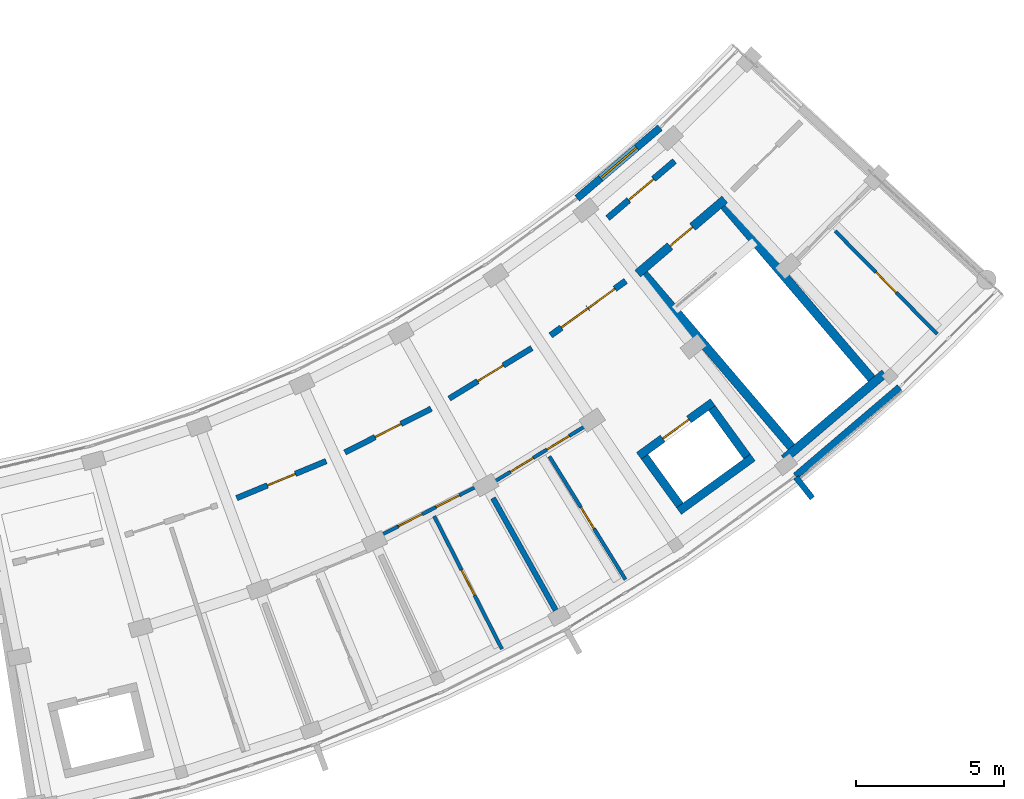
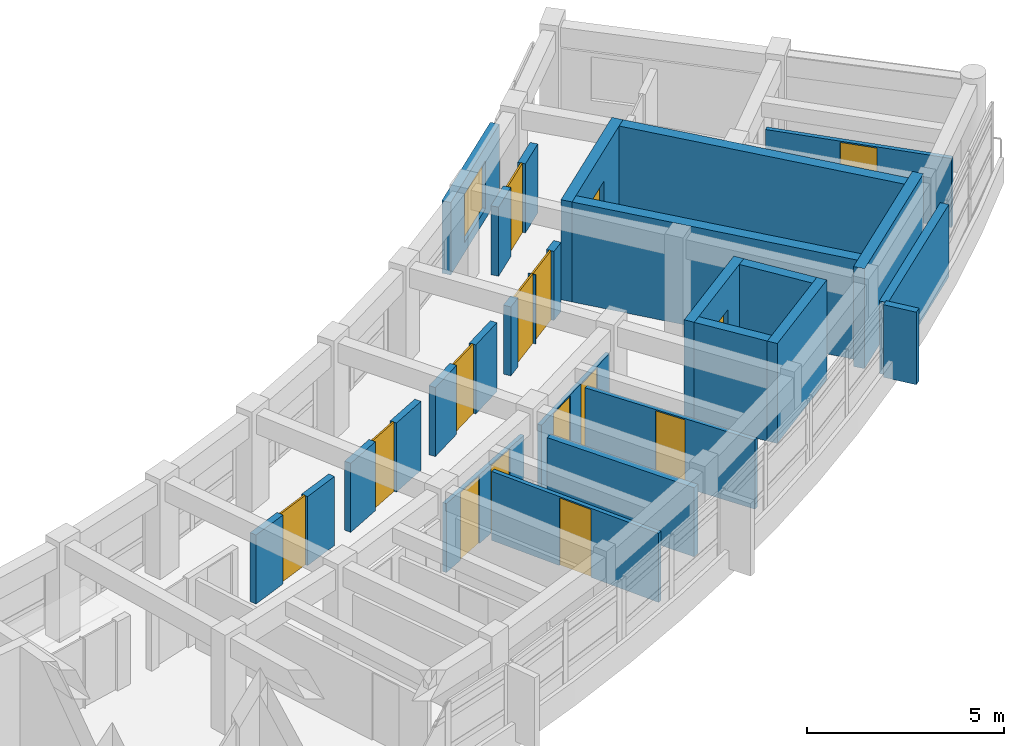
# One storey, part 38 of 54: 22 walls, 15 doors, 1 window, 16 openings.
"""IFC4 building model written with IfcOpenShell, lengths in metres."""

from ifc_helpers import new_model, si_unit, direction, frame, frame_2d, origin, place, context, subcontext, project, spatial, rectangle, extrude, material, layer, layer_set, type_object, element, fill, save


model = new_model("IFC4")

# Units and contexts
model_context = context("Model", 3, precision=1e-05, world=origin(), true_north=direction((0.0, 1.0)))
body_context = subcontext(model_context, "Body", "Model", "MODEL_VIEW")
ifc_project = project(units=[si_unit("LENGTHUNIT", "METRE"), si_unit("AREAUNIT", "SQUARE_METRE"), si_unit("VOLUMEUNIT", "CUBIC_METRE"), si_unit("PLANEANGLEUNIT", "RADIAN"), si_unit("MASSUNIT", "GRAM", prefix="KILO")], contexts=[model_context])

# Site, building, storey
site_placement = place(None, origin())
site = spatial("IfcSite", under=ifc_project, at=site_placement, CompositionType="ELEMENT")
building_placement = place(site_placement, origin())
building = spatial("IfcBuilding", under=site, at=building_placement, Name="Zimvara Arc Housing Community", CompositionType="ELEMENT")
storey_placement = place(building_placement, frame((0.0, 0.0, 23.60009765625)))
storey = spatial("IfcBuildingStorey", under=building, at=storey_placement, Name="L07", CompositionType="ELEMENT", Elevation=23.60009765625)

# Walls
ifc_material_1 = material(Name="Board-Marked Fair-Faced Concrete C35/45", Category="concrete")
ifc_layer_1 = layer(ifc_material_1, 0.195068359375)
ifc_layer_set_1 = layer_set([ifc_layer_1], Name="Board-Marked Fair-Faced Concrete C35/45")
wall_type_1 = type_object("IfcWallType", Name="EWL-PARA-195", PredefinedType="PARAPET", material=ifc_layer_set_1)
wall_1_placement = place(storey_placement, frame((162.725830078125, 63.164306640625, 0.0), z_axis=(0.0, 0.0, 1.0), x_axis=(0.618456270212, -0.785819217019, 0.0)))
element("IfcWall", 1, at=wall_1_placement, inside=storey, type_object=wall_type_1, Name="finwall:blkD:L07:out:b8", PredefinedType="PARAPET", context=body_context, shape_type="SweptSolid", body=[
    extrude(rectangle(XDim=0.900146484375, YDim=0.195068359375, at=frame_2d((0.4501953125, 0.0))), origin(), (0.0, 0.0, 1.0), 2.25),
])
ifc_material_2 = material(Name="Pigmented Fair-Faced Concrete C35/45", Category="concrete")
ifc_layer_2 = layer(ifc_material_2, 0.235107421875)
ifc_layer_set_2 = layer_set([ifc_layer_2], Name="Pigmented Fair-Faced Concrete C35/45")
wall_type_2 = type_object("IfcWallType", Name="EWL-PIGM-235", PredefinedType="SOLIDWALL", material=ifc_layer_set_2)
wall_2_placement = place(storey_placement, frame((162.71630859375, 63.208740234375, 0.0), z_axis=(0.0, 0.0, 1.0), x_axis=(0.760968923704, 0.64878833001, 0.0)))
element("IfcWall", 2, at=wall_2_placement, inside=storey, type_object=wall_type_2, Name="ewall:blkD:L07:out:b8", PredefinedType="SOLIDWALL", context=body_context, shape_type="SweptSolid", body=[
    extrude(rectangle(XDim=4.62255859375, YDim=0.235107421875, at=frame_2d((2.311279296875, 0.0))), origin(), (0.0, 0.0, 1.0), 2.25),
])

# Wall, opening, window
ifc_material_3 = material(Name="Pigmented Fair-Faced Concrete C35/45", Category="concrete")
ifc_layer_3 = layer(ifc_material_3, 0.2451171875)
ifc_layer_set_3 = layer_set([ifc_layer_3], Name="Pigmented Fair-Faced Concrete C35/45")
wall_type_3 = type_object("IfcWallType", Name="EWL-PIGM-245", PredefinedType="SOLIDWALL", material=ifc_layer_set_3)
wall_3_placement = place(storey_placement, frame((155.320068359375, 72.607666015625, 0.0), z_axis=(0.0, 0.0, 1.0), x_axis=(0.760985049259, 0.648769415743, 0.0)))
wall_3 = element("IfcWall", 3, at=wall_3_placement, inside=storey, type_object=wall_type_3, Name="ewall:blkD:L07:in:b8", PredefinedType="SOLIDWALL", context=body_context, shape_type="SweptSolid", body=[
    extrude(rectangle(XDim=3.683349609375, YDim=0.2451171875, at=frame_2d((1.841796875, 0.0))), origin(), (0.0, 0.0, 1.0), 2.25),
])
opening_1_placement = place(wall_3_placement, frame((1.041748046875, 0.0, 0.320068359375)))
opening_1 = element("IfcOpeningElement", 4, at=opening_1_placement, cuts=wall_3, Name="Opening W03", PredefinedType="OPENING", context=body_context, shape_type="SweptSolid", body=[
    extrude(rectangle(XDim=1.60009765625, YDim=1.5, at=frame_2d((0.800048828125, 0.75))), frame((0.0, 0.132568359375, 0.0), z_axis=(0.0, -1.0, 0.0), x_axis=(1.0, 0.0, 0.0)), (0.0, 0.0, 1.0), 0.26513671875),
])
ifc_material_4 = material(Name="Solar Control Low-E Double Glazing", Category="glass")
window_type = type_object("IfcWindowType", Name="WIN-RES-1600x1500", PartitioningType="DOUBLE_PANEL_VERTICAL", PredefinedType="WINDOW", material=ifc_material_4)
window_placement = place(opening_1_placement, origin())
window = element("IfcWindow", 5, at=window_placement, inside=storey, type_object=window_type, Name="win:blkD:L07:in:b8", OverallHeight=1.5, OverallWidth=1.60009765625, PartitioningType="DOUBLE_PANEL_VERTICAL", PredefinedType="WINDOW", context=body_context, shape_type="SweptSolid", body=[
    extrude(rectangle(XDim=1.60009765625, YDim=1.5, at=frame_2d((0.800048828125, 0.75))), frame((0.0, 0.030029296875, 0.0), z_axis=(0.0, -1.0, 0.0), x_axis=(1.0, 0.0, 0.0)), (0.0, 0.0, 1.0), 0.06005859375),
])
fill(opening_1, window)

# Wall, openings, doors
ifc_material_5 = material(Name="Concrete C35/45", Category="concrete")
ifc_layer_4 = layer(ifc_material_5, 0.2099609375)
ifc_layer_set_4 = layer_set([ifc_layer_4], Name="Concrete C35/45")
wall_type_4 = type_object("IfcWallType", Name="IWL-CCF-210", PredefinedType="SOLIDWALL", material=ifc_layer_set_4)
wall_4_placement = place(storey_placement, frame((154.4228515625, 67.968017578125, 0.0), z_axis=(0.0, 0.0, 1.0), x_axis=(0.809516127005, 0.587097641043, 0.0)))
wall_4 = element("IfcWall", 6, at=wall_4_placement, inside=storey, type_object=wall_type_4, Name="iwall:blkD:L07:ll_div:b7", PredefinedType="SOLIDWALL", context=body_context, shape_type="SweptSolid", body=[
    extrude(rectangle(XDim=3.13720703125, YDim=0.2099609375, at=frame_2d((1.568603515625, 0.0))), origin(), (0.0, 0.0, 1.0), 2.139892578125),
])
opening_2_placement = place(wall_4_placement, frame((0.449951171875, 0.0, 0.0)))
opening_2 = element("IfcOpeningElement", 7, at=opening_2_placement, cuts=wall_4, Name="Opening FD-CCF1", PredefinedType="OPENING", context=body_context, shape_type="SweptSolid", body=[
    extrude(rectangle(XDim=1.10009765625, YDim=2.14990234375, at=frame_2d((0.550048828125, 1.074951171875))), frame((0.0, 0.114990234375, 0.0), z_axis=(0.0, -1.0, 0.0), x_axis=(1.0, 0.0, 0.0)), (0.0, 0.0, 1.0), 0.22998046875),
])
opening_3_placement = place(wall_4_placement, frame((1.56689453125, 0.0, 0.0)))
opening_3 = element("IfcOpeningElement", 8, at=opening_3_placement, cuts=wall_4, Name="Opening D07", PredefinedType="OPENING", context=body_context, shape_type="SweptSolid", body=[
    extrude(rectangle(XDim=1.1201171875, YDim=2.14990234375, at=frame_2d((0.56005859375, 1.074951171875))), frame((0.0, 0.114990234375, 0.0), z_axis=(0.0, -1.0, 0.0), x_axis=(1.0, 0.0, 0.0)), (0.0, 0.0, 1.0), 0.22998046875),
])
ifc_material_6 = material(Name="Mozambican Hardwood", Category="wood")
door_type_1 = type_object("IfcDoorType", Name="IDR-AMN-1120x2150", OperationType="NOTDEFINED", PredefinedType="DOOR", material=ifc_material_6)
door_1_placement = place(opening_3_placement, origin())
door_1 = element("IfcDoor", 9, at=door_1_placement, inside=storey, type_object=door_type_1, Name="idoor:blkD:L07:rs_in:b7", OperationType="SINGLE_SWING_RIGHT", OverallHeight=2.14990234375, OverallWidth=1.1201171875, PredefinedType="DOOR", context=body_context, shape_type="SweptSolid", body=[
    extrude(rectangle(XDim=1.1201171875, YDim=2.14990234375, at=frame_2d((0.56005859375, 1.074951171875))), frame((0.0, 0.02490234375, 0.0), z_axis=(0.0, -1.0, 0.0), x_axis=(1.0, 0.0, 0.0)), (0.0, 0.0, 1.0), 0.050048828125),
])
fill(opening_3, door_1)
ifc_material_7 = material(Name="Anodised Aluminium AW-6063", Category="aluminium")
door_type_2 = type_object("IfcDoorType", Name="IDR-CCF-1100x2150", OperationType="NOTDEFINED", PredefinedType="DOOR", material=ifc_material_7)
door_2_placement = place(opening_2_placement, origin())
door_2 = element("IfcDoor", 10, at=door_2_placement, inside=storey, type_object=door_type_2, Name="idoor:blkD:L07:ll_in:b7", OperationType="SINGLE_SWING_LEFT", OverallHeight=2.14990234375, OverallWidth=1.10009765625, PredefinedType="DOOR", context=body_context, shape_type="SweptSolid", body=[
    extrude(rectangle(XDim=1.10009765625, YDim=2.14990234375, at=frame_2d((0.550048828125, 1.074951171875))), frame((0.0, 0.02490234375, 0.0), z_axis=(0.0, -1.0, 0.0), x_axis=(1.0, 0.0, 0.0)), (0.0, 0.0, 1.0), 0.050048828125),
])
fill(opening_2, door_2)

# Wall, opening, door
wall_5_placement = place(storey_placement, frame((156.354248046875, 71.93994140625, 0.0), z_axis=(0.0, 0.0, 1.0), x_axis=(0.760991187621, 0.648762215579, 0.0)))
wall_5 = element("IfcWall", 11, at=wall_5_placement, inside=storey, type_object=wall_type_4, Name="iwall:blkD:L07:ccf_div:b8", PredefinedType="SOLIDWALL", context=body_context, shape_type="SweptSolid", body=[
    extrude(rectangle(XDim=2.975830078125, YDim=0.2099609375, at=frame_2d((1.48779296875, 0.0))), origin(), (0.0, 0.0, 1.0), 2.139892578125),
])
opening_4_placement = place(wall_5_placement, frame((0.93798828125, 0.0, 0.0)))
opening_4 = element("IfcOpeningElement", 12, at=opening_4_placement, cuts=wall_5, Name="Opening FD-CCF1", PredefinedType="OPENING", context=body_context, shape_type="SweptSolid", body=[
    extrude(rectangle(XDim=1.10009765625, YDim=2.14990234375, at=frame_2d((0.550048828125, 1.074951171875))), frame((0.0, 0.114990234375, 0.0), z_axis=(0.0, -1.0, 0.0), x_axis=(1.0, 0.0, 0.0)), (0.0, 0.0, 1.0), 0.22998046875),
])
door_3_placement = place(opening_4_placement, origin())
door_3 = element("IfcDoor", 13, at=door_3_placement, inside=storey, type_object=door_type_2, Name="idoor:blkD:L07:ccf_in:b8", OperationType="SINGLE_SWING_LEFT", OverallHeight=2.14990234375, OverallWidth=1.10009765625, PredefinedType="DOOR", context=body_context, shape_type="SweptSolid", body=[
    extrude(rectangle(XDim=1.10009765625, YDim=2.14990234375, at=frame_2d((0.550048828125, 1.074951171875))), frame((0.0, 0.02490234375, 0.0), z_axis=(0.0, -1.0, 0.0), x_axis=(1.0, 0.0, 0.0)), (0.0, 0.0, 1.0), 0.050048828125),
])
fill(opening_4, door_3)

ifc_material_8 = material(Name="Concrete C35/45", Category="concrete")
ifc_layer_5 = layer(ifc_material_8, 0.18994140625)
ifc_layer_set_5 = layer_set([ifc_layer_5], Name="Concrete C35/45")
wall_type_5 = type_object("IfcWallType", Name="IWL-CORR-190", PredefinedType="SOLIDWALL", material=ifc_layer_set_5)
wall_6_placement = place(storey_placement, frame((143.792724609375, 62.458984375, 0.0), z_axis=(0.0, 0.0, 1.0), x_axis=(0.924214561665, 0.381873596896, 0.0)))
wall_6 = element("IfcWall", 14, at=wall_6_placement, inside=storey, type_object=wall_type_5, Name="iwall:blkD:L07:corr_out:b4", PredefinedType="SOLIDWALL", context=body_context, shape_type="SweptSolid", body=[
    extrude(rectangle(XDim=3.277099609375, YDim=0.18994140625, at=frame_2d((1.638671875, 0.0))), origin(), (0.0, 0.0, 1.0), 2.139892578125),
])
opening_5_placement = place(wall_6_placement, frame((1.12841796875, 0.0, 0.0)))
opening_5 = element("IfcOpeningElement", 15, at=opening_5_placement, cuts=wall_6, Name="Opening FD-FL2", PredefinedType="OPENING", context=body_context, shape_type="SweptSolid", body=[
    extrude(rectangle(XDim=1.02001953125, YDim=2.14990234375, at=frame_2d((0.510009765625, 1.074951171875))), frame((0.0, 0.10498046875, 0.0), z_axis=(0.0, -1.0, 0.0), x_axis=(1.0, 0.0, 0.0)), (0.0, 0.0, 1.0), 0.2099609375),
])
ifc_material_9 = material(Name="Mozambican Hardwood", Category="wood")
door_type_3 = type_object("IfcDoorType", Name="IDR-FLAT-1020x2150", OperationType="NOTDEFINED", PredefinedType="DOOR", material=ifc_material_9)
door_4_placement = place(opening_5_placement, origin())
door_4 = element("IfcDoor", 16, at=door_4_placement, inside=storey, type_object=door_type_3, Name="idoor:blkD:L07:flat:b4", OperationType="SINGLE_SWING_LEFT", OverallHeight=2.14990234375, OverallWidth=1.02001953125, PredefinedType="DOOR", context=body_context, shape_type="SweptSolid", body=[
    extrude(rectangle(XDim=1.02001953125, YDim=2.14990234375, at=frame_2d((0.510009765625, 1.074951171875))), frame((0.0, 0.02490234375, 0.0), z_axis=(0.0, -1.0, 0.0), x_axis=(1.0, 0.0, 0.0)), (0.0, 0.0, 1.0), 0.050048828125),
])
fill(opening_5, door_4)

wall_7_placement = place(storey_placement, frame((147.45703125, 64.002685546875, 0.0), z_axis=(0.0, 0.0, 1.0), x_axis=(0.891412167565, 0.45319349898, 0.0)))
wall_7 = element("IfcWall", 17, at=wall_7_placement, inside=storey, type_object=wall_type_5, Name="iwall:blkD:L07:corr_out:b5", PredefinedType="SOLIDWALL", context=body_context, shape_type="SweptSolid", body=[
    extrude(rectangle(XDim=3.277099609375, YDim=0.18994140625, at=frame_2d((1.638671875, 0.0))), origin(), (0.0, 0.0, 1.0), 2.139892578125),
])
opening_6_placement = place(wall_7_placement, frame((1.1484375, 0.0, 0.0)))
opening_6 = element("IfcOpeningElement", 18, at=opening_6_placement, cuts=wall_7, Name="Opening FD-FL1", PredefinedType="OPENING", context=body_context, shape_type="SweptSolid", body=[
    extrude(rectangle(XDim=0.97998046875, YDim=2.14990234375, at=frame_2d((0.489990234375, 1.074951171875))), frame((0.0, 0.10498046875, 0.0), z_axis=(0.0, -1.0, 0.0), x_axis=(1.0, 0.0, 0.0)), (0.0, 0.0, 1.0), 0.2099609375),
])
ifc_material_10 = material(Name="Mozambican Hardwood", Category="wood")
door_type_4 = type_object("IfcDoorType", Name="IDR-FLAT-0980x2150", OperationType="NOTDEFINED", PredefinedType="DOOR", material=ifc_material_10)
door_5_placement = place(opening_6_placement, origin())
door_5 = element("IfcDoor", 19, at=door_5_placement, inside=storey, type_object=door_type_4, Name="idoor:blkD:L07:flat:b5", OperationType="SINGLE_SWING_LEFT", OverallHeight=2.14990234375, OverallWidth=0.97998046875, PredefinedType="DOOR", context=body_context, shape_type="SweptSolid", body=[
    extrude(rectangle(XDim=0.97998046875, YDim=2.14990234375, at=frame_2d((0.489990234375, 1.074951171875))), frame((0.0, 0.02490234375, 0.0), z_axis=(0.0, -1.0, 0.0), x_axis=(1.0, 0.0, 0.0)), (0.0, 0.0, 1.0), 0.050048828125),
])
fill(opening_6, door_5)

wall_8_placement = place(storey_placement, frame((150.98876953125, 65.8291015625, 0.0), z_axis=(0.0, 0.0, 1.0), x_axis=(0.853090237845, 0.521763400492, 0.0)))
wall_8 = element("IfcWall", 20, at=wall_8_placement, inside=storey, type_object=wall_type_5, Name="iwall:blkD:L07:corr_out:b6", PredefinedType="SOLIDWALL", context=body_context, shape_type="SweptSolid", body=[
    extrude(rectangle(XDim=3.27685546875, YDim=0.18994140625, at=frame_2d((1.638427734375, 0.0))), origin(), (0.0, 0.0, 1.0), 2.139892578125),
])
opening_7_placement = place(wall_8_placement, frame((1.12841796875, 0.0, 0.0)))
opening_7 = element("IfcOpeningElement", 21, at=opening_7_placement, cuts=wall_8, Name="Opening FD-FL2", PredefinedType="OPENING", context=body_context, shape_type="SweptSolid", body=[
    extrude(rectangle(XDim=1.02001953125, YDim=2.14990234375, at=frame_2d((0.510009765625, 1.074951171875))), frame((0.0, 0.10498046875, 0.0), z_axis=(0.0, -1.0, 0.0), x_axis=(1.0, 0.0, 0.0)), (0.0, 0.0, 1.0), 0.2099609375),
])
door_6_placement = place(opening_7_placement, origin())
door_6 = element("IfcDoor", 22, at=door_6_placement, inside=storey, type_object=door_type_3, Name="idoor:blkD:L07:flat:b6", OperationType="SINGLE_SWING_LEFT", OverallHeight=2.14990234375, OverallWidth=1.02001953125, PredefinedType="DOOR", context=body_context, shape_type="SweptSolid", body=[
    extrude(rectangle(XDim=1.02001953125, YDim=2.14990234375, at=frame_2d((0.510009765625, 1.074951171875))), frame((0.0, 0.02490234375, 0.0), z_axis=(0.0, -1.0, 0.0), x_axis=(1.0, 0.0, 0.0)), (0.0, 0.0, 1.0), 0.050048828125),
])
fill(opening_7, door_6)

# Wall
ifc_material_11 = material(Name="Concrete C35/45", Category="concrete")
ifc_layer_6 = layer(ifc_material_11, 0.18505859375)
ifc_layer_set_6 = layer_set([ifc_layer_6], Name="Concrete C35/45")
wall_type_6 = type_object("IfcWallType", Name="IWL-FLAT-185", PredefinedType="SOLIDWALL", material=ifc_layer_set_6)
wall_9_placement = place(storey_placement, frame((152.470703125, 62.46044921875, 0.0), z_axis=(0.0, 0.0, 1.0), x_axis=(0.487866639184, -0.872918176218, 0.0)))
element("IfcWall", 23, at=wall_9_placement, inside=storey, type_object=wall_type_6, Name="iwall:blkD:L07:party:b6", PredefinedType="SOLIDWALL", context=body_context, shape_type="SweptSolid", body=[
    extrude(rectangle(XDim=4.35009765625, YDim=0.18505859375, at=frame_2d((2.175048828125, 0.0))), origin(), (0.0, 0.0, 1.0), 2.139892578125),
])

# Wall, openings, doors
ifc_material_12 = material(Name="Painted Acoustic Plasterboard")
ifc_layer_7 = layer(ifc_material_12, 0.114990234375)
ifc_layer_set_7 = layer_set([ifc_layer_7], Name="Painted Acoustic Plasterboard")
wall_type_7 = type_object("IfcWallType", Name="IWL-PART-115", PredefinedType="PARTITIONING", material=ifc_layer_set_7)
wall_10_placement = place(storey_placement, frame((148.686767578125, 61.208984375, 0.0), z_axis=(0.0, 0.0, 1.0), x_axis=(0.891396224028, 0.453224857866, 0.0)))
wall_10 = element("IfcWall", 24, at=wall_10_placement, inside=storey, type_object=wall_type_7, Name="iwall:blkD:L07:srv:b5", PredefinedType="PARTITIONING", context=body_context, shape_type="SweptSolid", body=[
    extrude(rectangle(XDim=3.61669921875, YDim=0.114990234375, at=frame_2d((1.808349609375, 0.0))), origin(), (0.0, 0.0, 1.0), 2.139892578125),
])
opening_8_placement = place(wall_10_placement, frame((0.64990234375, 0.0, 0.0)))
opening_8 = element("IfcOpeningElement", 25, at=opening_8_placement, cuts=wall_10, Name="Opening D01", PredefinedType="OPENING", context=body_context, shape_type="SweptSolid", body=[
    extrude(rectangle(XDim=0.89990234375, YDim=2.10009765625, at=frame_2d((0.449951171875, 1.050048828125))), frame((0.0, 0.0673828125, 0.0), z_axis=(0.0, -1.0, 0.0), x_axis=(1.0, 0.0, 0.0)), (0.0, 0.0, 1.0), 0.135009765625),
])
opening_9_placement = place(wall_10_placement, frame((2.08642578125, 0.0, 0.0)))
opening_9 = element("IfcOpeningElement", 26, at=opening_9_placement, cuts=wall_10, Name="Opening D05", PredefinedType="OPENING", context=body_context, shape_type="SweptSolid", body=[
    extrude(rectangle(XDim=0.8798828125, YDim=2.10009765625, at=frame_2d((0.43994140625, 1.050048828125))), frame((0.0, 0.0673828125, 0.0), z_axis=(0.0, -1.0, 0.0), x_axis=(1.0, 0.0, 0.0)), (0.0, 0.0, 1.0), 0.135009765625),
])
ifc_material_13 = material(Name="Mozambican Hardwood", Category="wood")
door_type_5 = type_object("IfcDoorType", Name="IDR-RM-0900x2100", OperationType="NOTDEFINED", PredefinedType="DOOR", material=ifc_material_13)
door_7_placement = place(opening_8_placement, origin())
door_7 = element("IfcDoor", 27, at=door_7_placement, inside=storey, type_object=door_type_5, Name="idoor:blkD:L07:kit_liv:b5", OperationType="SINGLE_SWING_RIGHT", OverallHeight=2.10009765625, OverallWidth=0.89990234375, PredefinedType="DOOR", context=body_context, shape_type="SweptSolid", body=[
    extrude(rectangle(XDim=0.89990234375, YDim=2.10009765625, at=frame_2d((0.449951171875, 1.050048828125))), frame((0.0, 0.02490234375, 0.0), z_axis=(0.0, -1.0, 0.0), x_axis=(1.0, 0.0, 0.0)), (0.0, 0.0, 1.0), 0.050048828125),
])
fill(opening_8, door_7)
ifc_material_14 = material(Name="Mozambican Hardwood", Category="wood")
door_type_6 = type_object("IfcDoorType", Name="IDR-WC-0880x2100", OperationType="NOTDEFINED", PredefinedType="DOOR", material=ifc_material_14)
door_8_placement = place(opening_9_placement, origin())
door_8 = element("IfcDoor", 28, at=door_8_placement, inside=storey, type_object=door_type_6, Name="idoor:blkD:L07:bath_d:b5", OperationType="SINGLE_SWING_LEFT", OverallHeight=2.10009765625, OverallWidth=0.8798828125, PredefinedType="DOOR", context=body_context, shape_type="SweptSolid", body=[
    extrude(rectangle(XDim=0.8798828125, YDim=2.10009765625, at=frame_2d((0.43994140625, 1.050048828125))), frame((0.0, 0.02490234375, 0.0), z_axis=(0.0, -1.0, 0.0), x_axis=(1.0, 0.0, 0.0)), (0.0, 0.0, 1.0), 0.050048828125),
])
fill(opening_9, door_8)

# Wall, opening, door
ifc_material_15 = material(Name="Painted Acoustic Plasterboard")
ifc_layer_8 = layer(ifc_material_15, 0.1201171875)
ifc_layer_set_8 = layer_set([ifc_layer_8], Name="Painted Acoustic Plasterboard")
wall_type_8 = type_object("IfcWallType", Name="IWL-PART-120", PredefinedType="PARTITIONING", material=ifc_layer_set_8)
wall_11_placement = place(storey_placement, frame((150.4775390625, 61.848876953125, 0.0), z_axis=(0.0, 0.0, 1.0), x_axis=(0.454489129902, -0.890752283635, 0.0)))
wall_11 = element("IfcWall", 29, at=wall_11_placement, inside=storey, type_object=wall_type_8, Name="iwall:blkD:L07:bed_div:b5", PredefinedType="PARTITIONING", context=body_context, shape_type="SweptSolid", body=[
    extrude(rectangle(XDim=5.050048828125, YDim=0.1201171875, at=frame_2d((2.52490234375, 0.0))), origin(), (0.0, 0.0, 1.0), 2.139892578125),
])
opening_10_placement = place(wall_11_placement, frame((2.044921875, 0.0, 0.0)))
opening_10 = element("IfcOpeningElement", 30, at=opening_10_placement, cuts=wall_11, Name="Opening D04", PredefinedType="OPENING", context=body_context, shape_type="SweptSolid", body=[
    extrude(rectangle(XDim=0.9599609375, YDim=2.10009765625, at=frame_2d((0.47998046875, 1.050048828125))), frame((0.0, 0.070068359375, 0.0), z_axis=(0.0, -1.0, 0.0), x_axis=(1.0, 0.0, 0.0)), (0.0, 0.0, 1.0), 0.14013671875),
])
ifc_material_16 = material(Name="Mozambican Hardwood", Category="wood")
door_type_7 = type_object("IfcDoorType", Name="IDR-RM-0960x2100", OperationType="NOTDEFINED", PredefinedType="DOOR", material=ifc_material_16)
door_9_placement = place(opening_10_placement, origin())
door_9 = element("IfcDoor", 31, at=door_9_placement, inside=storey, type_object=door_type_7, Name="idoor:blkD:L07:bed_d:b5", OperationType="SINGLE_SWING_RIGHT", OverallHeight=2.10009765625, OverallWidth=0.9599609375, PredefinedType="DOOR", context=body_context, shape_type="SweptSolid", body=[
    extrude(rectangle(XDim=0.9599609375, YDim=2.10009765625, at=frame_2d((0.47998046875, 1.050048828125))), frame((0.0, 0.02490234375, 0.0), z_axis=(0.0, -1.0, 0.0), x_axis=(1.0, 0.0, 0.0)), (0.0, 0.0, 1.0), 0.050048828125),
])
fill(opening_10, door_9)

# Wall, openings, doors
wall_12_placement = place(storey_placement, frame((152.507080078125, 63.009765625, 0.0), z_axis=(0.0, 0.0, 1.0), x_axis=(0.853110474662, 0.521730311581, 0.0)))
wall_12 = element("IfcWall", 32, at=wall_12_placement, inside=storey, type_object=wall_type_8, Name="iwall:blkD:L07:srv:b6", PredefinedType="PARTITIONING", context=body_context, shape_type="SweptSolid", body=[
    extrude(rectangle(XDim=3.62841796875, YDim=0.1201171875, at=frame_2d((1.814208984375, 0.0))), origin(), (0.0, 0.0, 1.0), 2.139892578125),
])
opening_11_placement = place(wall_12_placement, frame((0.64990234375, 0.0, 0.0)))
opening_11 = element("IfcOpeningElement", 33, at=opening_11_placement, cuts=wall_12, Name="Opening D01", PredefinedType="OPENING", context=body_context, shape_type="SweptSolid", body=[
    extrude(rectangle(XDim=0.89990234375, YDim=2.10009765625, at=frame_2d((0.449951171875, 1.050048828125))), frame((0.0, 0.070068359375, 0.0), z_axis=(0.0, -1.0, 0.0), x_axis=(1.0, 0.0, 0.0)), (0.0, 0.0, 1.0), 0.14013671875),
])
opening_12_placement = place(wall_12_placement, frame((2.098388671875, 0.0, 0.0)))
opening_12 = element("IfcOpeningElement", 34, at=opening_12_placement, cuts=wall_12, Name="Opening D05", PredefinedType="OPENING", context=body_context, shape_type="SweptSolid", body=[
    extrude(rectangle(XDim=0.8798828125, YDim=2.10009765625, at=frame_2d((0.43994140625, 1.050048828125))), frame((0.0, 0.070068359375, 0.0), z_axis=(0.0, -1.0, 0.0), x_axis=(1.0, 0.0, 0.0)), (0.0, 0.0, 1.0), 0.14013671875),
])
door_10_placement = place(opening_11_placement, origin())
door_10 = element("IfcDoor", 35, at=door_10_placement, inside=storey, type_object=door_type_5, Name="idoor:blkD:L07:kit_liv:b6", OperationType="SINGLE_SWING_RIGHT", OverallHeight=2.10009765625, OverallWidth=0.89990234375, PredefinedType="DOOR", context=body_context, shape_type="SweptSolid", body=[
    extrude(rectangle(XDim=0.89990234375, YDim=2.10009765625, at=frame_2d((0.449951171875, 1.050048828125))), frame((0.0, 0.02490234375, 0.0), z_axis=(0.0, -1.0, 0.0), x_axis=(1.0, 0.0, 0.0)), (0.0, 0.0, 1.0), 0.050048828125),
])
fill(opening_11, door_10)
door_11_placement = place(opening_12_placement, origin())
door_11 = element("IfcDoor", 36, at=door_11_placement, inside=storey, type_object=door_type_6, Name="idoor:blkD:L07:bath_d:b6", OperationType="SINGLE_SWING_LEFT", OverallHeight=2.10009765625, OverallWidth=0.8798828125, PredefinedType="DOOR", context=body_context, shape_type="SweptSolid", body=[
    extrude(rectangle(XDim=0.8798828125, YDim=2.10009765625, at=frame_2d((0.43994140625, 1.050048828125))), frame((0.0, 0.02490234375, 0.0), z_axis=(0.0, -1.0, 0.0), x_axis=(1.0, 0.0, 0.0)), (0.0, 0.0, 1.0), 0.050048828125),
])
fill(opening_12, door_11)

# Wall, opening, door
wall_13_placement = place(storey_placement, frame((154.38037109375, 63.872802734375, 0.0), z_axis=(0.0, 0.0, 1.0), x_axis=(0.525458935368, -0.850818962672, 0.0)))
wall_13 = element("IfcWall", 37, at=wall_13_placement, inside=storey, type_object=wall_type_8, Name="iwall:blkD:L07:bed_div:b6", PredefinedType="PARTITIONING", context=body_context, shape_type="SweptSolid", body=[
    extrude(rectangle(XDim=4.89990234375, YDim=0.1201171875, at=frame_2d((2.449951171875, 0.0))), origin(), (0.0, 0.0, 1.0), 2.139892578125),
])
opening_13_placement = place(wall_13_placement, frame((2.02490234375, 0.0, 0.0)))
opening_13 = element("IfcOpeningElement", 38, at=opening_13_placement, cuts=wall_13, Name="Opening D11", PredefinedType="OPENING", context=body_context, shape_type="SweptSolid", body=[
    extrude(rectangle(XDim=0.85009765625, YDim=2.10009765625, at=frame_2d((0.425048828125, 1.050048828125))), frame((0.0, 0.070068359375, 0.0), z_axis=(0.0, -1.0, 0.0), x_axis=(1.0, 0.0, 0.0)), (0.0, 0.0, 1.0), 0.14013671875),
])
ifc_material_17 = material(Name="Mozambican Hardwood", Category="wood")
door_type_8 = type_object("IfcDoorType", Name="IDR-MOD-850x2060", OperationType="NOTDEFINED", PredefinedType="DOOR", material=ifc_material_17)
door_12_placement = place(opening_13_placement, origin())
door_12 = element("IfcDoor", 39, at=door_12_placement, inside=storey, type_object=door_type_8, Name="idoor:blkD:L07:bed_d:b6", OperationType="SINGLE_SWING_RIGHT", OverallHeight=2.10009765625, OverallWidth=0.85009765625, PredefinedType="DOOR", context=body_context, shape_type="SweptSolid", body=[
    extrude(rectangle(XDim=0.85009765625, YDim=2.10009765625, at=frame_2d((0.425048828125, 1.050048828125))), frame((0.0, 0.02490234375, 0.0), z_axis=(0.0, -1.0, 0.0), x_axis=(1.0, 0.0, 0.0)), (0.0, 0.0, 1.0), 0.050048828125),
])
fill(opening_13, door_12)

wall_14_placement = place(storey_placement, frame((164.054931640625, 71.497314453125, 0.0), z_axis=(0.0, 0.0, 1.0), x_axis=(0.704461179749, -0.709742521078, 0.0)))
wall_14 = element("IfcWall", 40, at=wall_14_placement, inside=storey, type_object=wall_type_8, Name="iwall:blkD:L07:bed_div:b9", PredefinedType="PARTITIONING", context=body_context, shape_type="SweptSolid", body=[
    extrude(rectangle(XDim=4.900146484375, YDim=0.1201171875, at=frame_2d((2.4501953125, 0.0))), origin(), (0.0, 0.0, 1.0), 2.139892578125),
])
opening_14_placement = place(wall_14_placement, frame((1.965087890625, 0.0, 0.0)))
opening_14 = element("IfcOpeningElement", 41, at=opening_14_placement, cuts=wall_14, Name="Opening D14", PredefinedType="OPENING", context=body_context, shape_type="SweptSolid", body=[
    extrude(rectangle(XDim=0.969970703125, YDim=2.10009765625, at=frame_2d((0.48486328125, 1.050048828125))), frame((0.0, 0.070068359375, 0.0), z_axis=(0.0, -1.0, 0.0), x_axis=(1.0, 0.0, 0.0)), (0.0, 0.0, 1.0), 0.14013671875),
])
ifc_material_18 = material(Name="Mozambican Hardwood", Category="wood")
door_type_9 = type_object("IfcDoorType", Name="IDR-MOD-970x2080", OperationType="NOTDEFINED", PredefinedType="DOOR", material=ifc_material_18)
door_13_placement = place(opening_14_placement, origin())
door_13 = element("IfcDoor", 42, at=door_13_placement, inside=storey, type_object=door_type_9, Name="idoor:blkD:L07:bed_d:b9", OperationType="SINGLE_SWING_LEFT", OverallHeight=2.10009765625, OverallWidth=0.969970703125, PredefinedType="DOOR", context=body_context, shape_type="SweptSolid", body=[
    extrude(rectangle(XDim=0.969970703125, YDim=2.10009765625, at=frame_2d((0.48486328125, 1.050048828125))), frame((0.0, 0.02490234375, 0.0), z_axis=(0.0, -1.0, 0.0), x_axis=(1.0, 0.0, 0.0)), (0.0, 0.0, 1.0), 0.050048828125),
])
fill(opening_14, door_13)

ifc_material_19 = material(Name="Concrete C40/50", Category="concrete")
ifc_layer_9 = layer(ifc_material_19, 0.280029296875)
ifc_layer_set_9 = layer_set([ifc_layer_9], Name="Concrete C40/50")
wall_type_9 = type_object("IfcWallType", Name="WL-CORE-280", PredefinedType="SHEAR", material=ifc_layer_set_9)
wall_15_placement = place(storey_placement, frame((157.408935546875, 63.890380859375, 0.0), z_axis=(0.0, 0.0, 1.0), x_axis=(0.809510936031, 0.587104798521, 0.0)))
wall_15 = element("IfcWall", 43, at=wall_15_placement, inside=storey, type_object=wall_type_9, Name="lwall:LP-D2:L07:front", PredefinedType="SHEAR", context=body_context, shape_type="SweptSolid", body=[
    extrude(rectangle(XDim=3.090087890625, YDim=0.280029296875, at=frame_2d((1.544921875, 0.0))), origin(), (0.0, 0.0, 1.0), 3.099853515625),
])
opening_15_placement = place(wall_15_placement, frame((0.9951171875, 0.0, 0.0)))
opening_15 = element("IfcOpeningElement", 44, at=opening_15_placement, cuts=wall_15, Name="Opening LD-LP-D2", PredefinedType="OPENING", context=body_context, shape_type="SweptSolid", body=[
    extrude(rectangle(XDim=1.10009765625, YDim=2.14990234375, at=frame_2d((0.550048828125, 1.074951171875))), frame((0.0, 0.14990234375, 0.0), z_axis=(0.0, -1.0, 0.0), x_axis=(1.0, 0.0, 0.0)), (0.0, 0.0, 1.0), 0.300048828125),
])
ifc_material_20 = material(Name="Anodised Aluminium AW-6063", Category="aluminium")
door_type_10 = type_object("IfcDoorType", Name="IDR-LD-1100x2150", OperationType="DOUBLE_DOOR_SLIDING", PredefinedType="DOOR", material=ifc_material_20)
door_14_placement = place(opening_15_placement, origin())
door_14 = element("IfcDoor", 45, at=door_14_placement, inside=storey, type_object=door_type_10, Name="Lift LP-D2 Sliding Landing Door L07", OperationType="DOUBLE_DOOR_SLIDING", OverallHeight=2.14990234375, OverallWidth=1.10009765625, PredefinedType="DOOR", context=body_context, shape_type="SweptSolid", body=[
    extrude(rectangle(XDim=1.10009765625, YDim=2.14990234375, at=frame_2d((0.550048828125, 1.074951171875))), frame((0.0, 0.02490234375, 0.0), z_axis=(0.0, -1.0, 0.0), x_axis=(1.0, 0.0, 0.0)), (0.0, 0.0, 1.0), 0.050048828125),
])
fill(opening_15, door_14)

# Walls
wall_16_placement = place(storey_placement, frame((158.76513671875, 62.0205078125, 0.0), z_axis=(0.0, 0.0, 1.0), x_axis=(0.809548485838, 0.587053020669, 0.0)))
element("IfcWall", 46, at=wall_16_placement, inside=storey, type_object=wall_type_9, Name="lwall:LP-D2:L07:back", PredefinedType="SHEAR", context=body_context, shape_type="SweptSolid", body=[
    extrude(rectangle(XDim=3.08984375, YDim=0.280029296875, at=frame_2d((1.544921875, 0.0))), origin(), (0.0, 0.0, 1.0), 3.099853515625),
])
wall_17_placement = place(storey_placement, frame((157.6044921875, 63.859375, 0.0), z_axis=(0.0, 0.0, 1.0), x_axis=(0.587127188998, -0.809494696671, 0.0)))
element("IfcWall", 47, at=wall_17_placement, inside=storey, type_object=wall_type_9, Name="lwall:LP-D2:L07:left", PredefinedType="SHEAR", context=body_context, shape_type="SweptSolid", body=[
    extrude(rectangle(XDim=2.030029296875, YDim=0.280029296875, at=frame_2d((1.01513671875, 0.0))), origin(), (0.0, 0.0, 1.0), 3.099853515625),
])
wall_18_placement = place(storey_placement, frame((159.87939453125, 65.509033203125, 0.0), z_axis=(0.0, 0.0, 1.0), x_axis=(0.58704837408, -0.809551855344, 0.0)))
element("IfcWall", 48, at=wall_18_placement, inside=storey, type_object=wall_type_9, Name="lwall:LP-D2:L07:right", PredefinedType="SHEAR", context=body_context, shape_type="SweptSolid", body=[
    extrude(rectangle(XDim=2.02978515625, YDim=0.280029296875, at=frame_2d((1.014892578125, 0.0))), origin(), (0.0, 0.0, 1.0), 3.099853515625),
])

# Wall, opening, door
ifc_material_21 = material(Name="Concrete C40/50", Category="concrete")
ifc_layer_10 = layer(ifc_material_21, 0.300048828125)
ifc_layer_set_10 = layer_set([ifc_layer_10], Name="Concrete C40/50")
wall_type_10 = type_object("IfcWallType", Name="WL-CORE-300", PredefinedType="SHEAR", material=ifc_layer_set_10)
wall_19_placement = place(storey_placement, frame((157.37158203125, 70.0576171875, 0.0), z_axis=(0.0, 0.0, 1.0), x_axis=(0.760990583254, 0.648762924495, 0.0)))
wall_19 = element("IfcWall", 49, at=wall_19_placement, inside=storey, type_object=wall_type_10, Name="cwall:ST-D2:L07:near", PredefinedType="SHEAR", context=body_context, shape_type="SweptSolid", body=[
    extrude(rectangle(XDim=3.8701171875, YDim=0.300048828125, at=frame_2d((1.93505859375, 0.0))), origin(), (0.0, 0.0, 1.0), 3.099853515625),
])
opening_16_placement = place(wall_19_placement, frame((1.43505859375, 0.0, 0.0)))
opening_16 = element("IfcOpeningElement", 50, at=opening_16_placement, cuts=wall_19, Name="Opening FD-ST1", PredefinedType="OPENING", context=body_context, shape_type="SweptSolid", body=[
    extrude(rectangle(XDim=1.0, YDim=2.14990234375, at=frame_2d((0.5, 1.074951171875))), frame((0.0, 0.159912109375, 0.0), z_axis=(0.0, -1.0, 0.0), x_axis=(1.0, 0.0, 0.0)), (0.0, 0.0, 1.0), 0.320068359375),
])
ifc_material_22 = material(Name="Anodised Aluminium AW-6063", Category="aluminium")
door_type_11 = type_object("IfcDoorType", Name="IDR-ST-1000x2150", OperationType="NOTDEFINED", PredefinedType="DOOR", material=ifc_material_22)
door_15_placement = place(opening_16_placement, origin())
door_15 = element("IfcDoor", 51, at=door_15_placement, inside=storey, type_object=door_type_11, Name="idoor:ST-D2:L07:entry", OperationType="SINGLE_SWING_LEFT", OverallHeight=2.14990234375, OverallWidth=1.0, PredefinedType="DOOR", context=body_context, shape_type="SweptSolid", body=[
    extrude(rectangle(XDim=1.0, YDim=2.14990234375, at=frame_2d((0.5, 1.074951171875))), frame((0.0, 0.02490234375, 0.0), z_axis=(0.0, -1.0, 0.0), x_axis=(1.0, 0.0, 0.0)), (0.0, 0.0, 1.0), 0.050048828125),
])
fill(opening_16, door_15)

# Walls
wall_20_placement = place(storey_placement, frame((162.3271484375, 63.78271484375, 0.0), z_axis=(0.0, 0.0, 1.0), x_axis=(0.760969560012, 0.648787583678, 0.0)))
element("IfcWall", 52, at=wall_20_placement, inside=storey, type_object=wall_type_10, Name="cwall:ST-D2:L07:far", PredefinedType="SHEAR", context=body_context, shape_type="SweptSolid", body=[
    extrude(rectangle(XDim=4.47021484375, YDim=0.300048828125, at=frame_2d((2.235107421875, 0.0))), origin(), (0.0, 0.0, 1.0), 3.099853515625),
])
wall_21_placement = place(storey_placement, frame((157.583251953125, 70.040771484375, 0.0), z_axis=(0.0, 0.0, 1.0), x_axis=(0.648762810187, -0.760990680704, 0.0)))
element("IfcWall", 53, at=wall_21_placement, inside=storey, type_object=wall_type_10, Name="cwall:ST-D2:L07:left", PredefinedType="SHEAR", context=body_context, shape_type="SweptSolid", body=[
    extrude(rectangle(XDim=7.68994140625, YDim=0.300048828125, at=frame_2d((3.844970703125, 0.0))), origin(), (0.0, 0.0, 1.0), 3.099853515625),
])
wall_22_placement = place(storey_placement, frame((160.2998046875, 72.35693359375, 0.0), z_axis=(0.0, 0.0, 1.0), x_axis=(0.648781194888, -0.760975006922, 0.0)))
element("IfcWall", 54, at=wall_22_placement, inside=storey, type_object=wall_type_10, Name="cwall:ST-D2:L07:right", PredefinedType="SHEAR", context=body_context, shape_type="SweptSolid", body=[
    extrude(rectangle(XDim=7.690185546875, YDim=0.300048828125, at=frame_2d((3.84521484375, 0.0))), origin(), (0.0, 0.0, 1.0), 3.099853515625),
])

save(model, "model.ifc")
